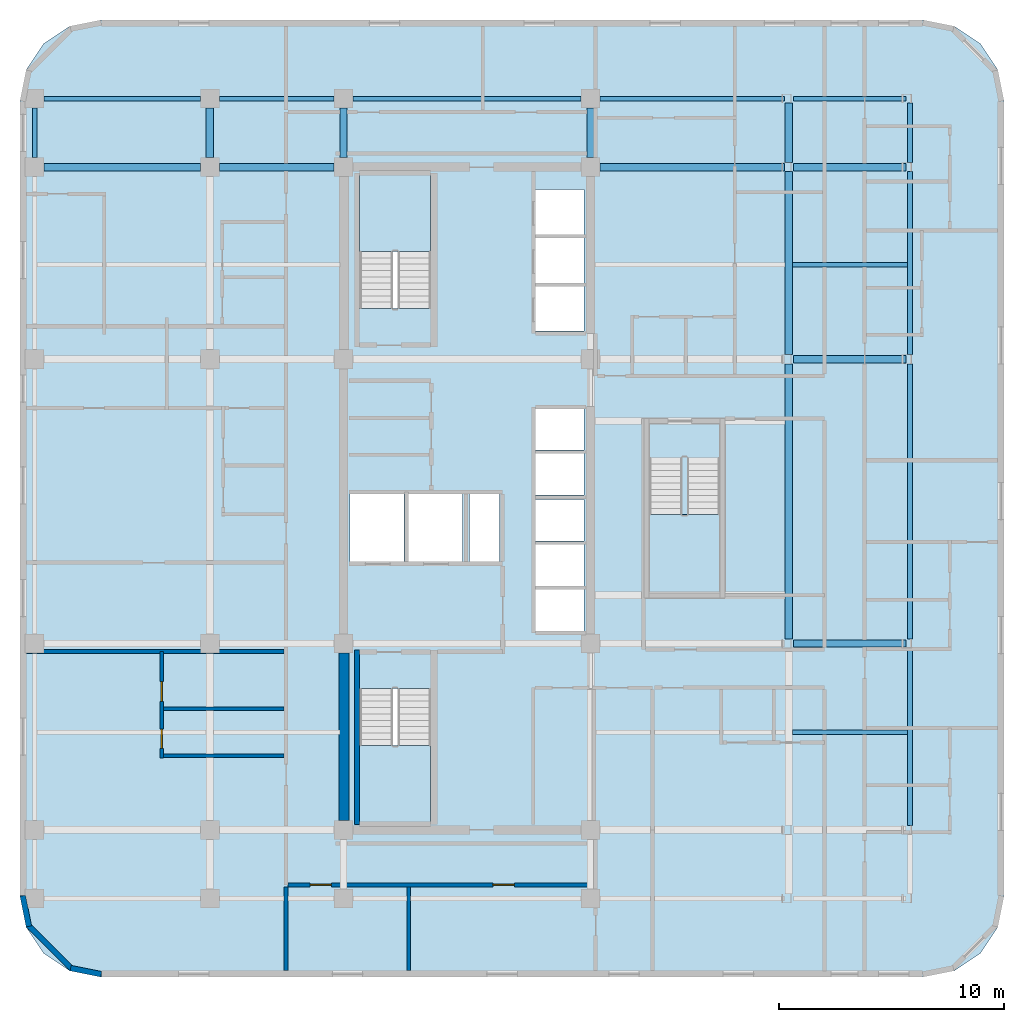
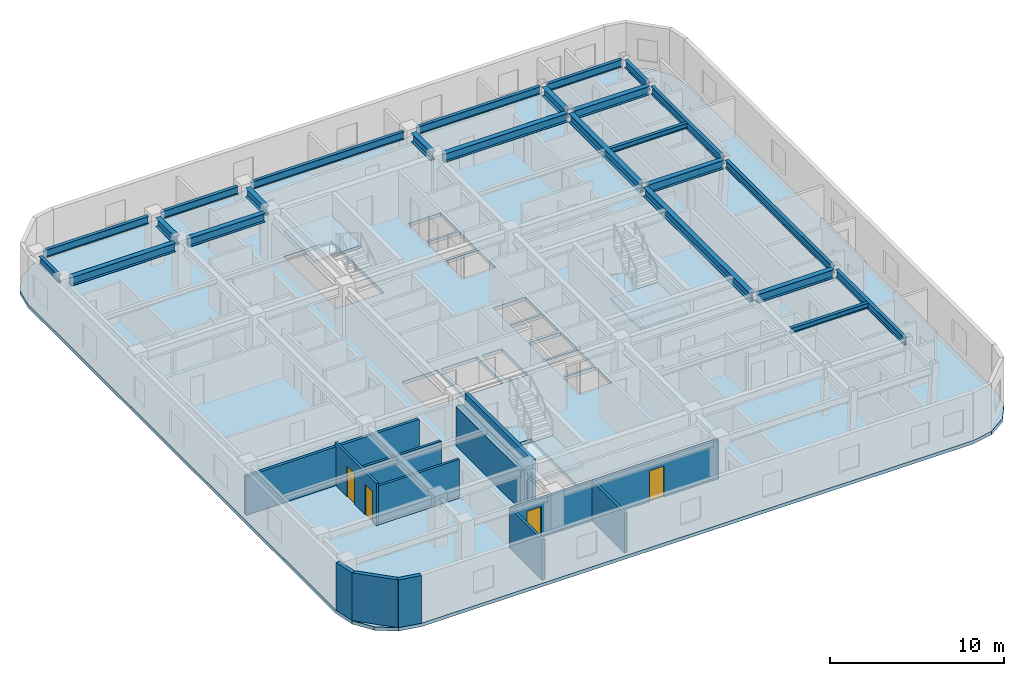
# One storey, part 2 of 9: 24 beams, 12 walls, 4 doors, 4 slabs, 4 openings, 3 elements without a shape of their own.
"""IFC4 building model written with IfcOpenShell, lengths in metres."""

from ifc_helpers import new_model, si_unit, direction, frame, frame_2d, origin, origin_2d, place, context, subcontext, project, spatial, polyline, rectangle, i_section, outline, extrude, material, layer, layer_set, material_profile, profile_set, type_object, element, fill, aggregate, save


model = new_model("IFC4")

# Units and contexts
model_context = context("Model", 3, precision=1e-05, world=origin(), true_north=direction((0.0, 1.0)))
body_context = subcontext(model_context, "Body", "Model", "MODEL_VIEW")
ifc_project = project(units=[si_unit("LENGTHUNIT", "METRE"), si_unit("AREAUNIT", "SQUARE_METRE"), si_unit("VOLUMEUNIT", "CUBIC_METRE"), si_unit("PLANEANGLEUNIT", "RADIAN"), si_unit("MASSUNIT", "GRAM", prefix="KILO")], contexts=[model_context])

# Site, building, storey
site_placement = place(None, origin())
site = spatial("IfcSite", under=ifc_project, at=site_placement, CompositionType="ELEMENT")
building_placement = place(site_placement, origin())
building = spatial("IfcBuilding", under=site, at=building_placement, Name="Ochreholt Gables", CompositionType="ELEMENT")
storey_placement = place(building_placement, frame((0.0, 0.0, 113.39990234375)))
storey = spatial("IfcBuildingStorey", under=building, at=storey_placement, Name="L29", CompositionType="ELEMENT", Elevation=113.39990234375)

# Beams
ifc_material_1 = material(Name="Steel CSA G40.21 350W", Category="steel")
ifc_material_profile_1 = material_profile(ifc_material_1, i_section(OverallWidth=0.323974609375, OverallDepth=0.611083984375, WebThickness=0.0126953125, FlangeThickness=0.01904296875, at=origin_2d()), Name="W610X155")
ifc_profile_set_1 = profile_set([ifc_material_profile_1], Name="Steel CSA G40.21 350W")
beam_type_1 = type_object("IfcBeamType", Name="BM-G-W610A", PredefinedType="BEAM", material=ifc_profile_set_1)
for number, where, z_axis, x_axis, name in (
    (1, (44.233642578125, 17.550048828125, 3.044677734375), (1.0, 0.0, 0.0), (0.0, 1.0, 0.0), "L29 Beam TBG-L29-EMEE-Y3"),
    (2, (44.233642578125, 30.199951171875, 3.044677734375), (1.0, 0.0, 0.0), (0.0, 1.0, 0.0), "L29 Beam TBG-L29-EMEE-Y4"),
):
    element("IfcBeam", number, at=place(storey_placement, frame(where, z_axis=z_axis, x_axis=x_axis)), inside=storey, type_object=beam_type_1, Name=name, PredefinedType="BEAM", context=body_context, shape_type="SweptSolid", body=[
        extrude(i_section(OverallWidth=0.323974609375, OverallDepth=0.611083984375, WebThickness=0.0126953125, FlangeThickness=0.01904296875, at=origin_2d()), origin(), (0.0, 0.0, 1.0), 5.006591796875),
    ])
beam_1_placement = place(storey_placement, frame((10.87451171875, 38.75, 3.044677734375), z_axis=(1.0, 0.0, 0.0), x_axis=(0.0, 1.0, 0.0)))
element("IfcBeam", 3, at=beam_1_placement, inside=storey, type_object=beam_type_1, Name="L29 Beam TBG-L29-W2W3-Y5", PredefinedType="BEAM", context=body_context, shape_type="SweptSolid", body=[
    extrude(i_section(OverallWidth=0.323974609375, OverallDepth=0.611083984375, WebThickness=0.0126953125, FlangeThickness=0.01904296875, at=origin_2d()), origin(), (0.0, 0.0, 1.0), 6.950927734375),
])
beam_2_placement = place(storey_placement, frame((18.674560546875, 38.75, 3.044677734375), z_axis=(1.0, 0.0, 0.0), x_axis=(0.0, 1.0, 0.0)))
element("IfcBeam", 4, at=beam_2_placement, inside=storey, type_object=beam_type_1, Name="L29 Beam TBG-L29-W3C1-Y5", PredefinedType="BEAM", context=body_context, shape_type="SweptSolid", body=[
    extrude(i_section(OverallWidth=0.323974609375, OverallDepth=0.611083984375, WebThickness=0.0126953125, FlangeThickness=0.01904296875, at=origin_2d()), origin(), (0.0, 0.0, 1.0), 5.100830078125),
])
beam_3_placement = place(storey_placement, frame((35.62451171875, 38.75, 3.044677734375), z_axis=(1.0, 0.0, 0.0), x_axis=(0.0, 1.0, 0.0)))
element("IfcBeam", 5, at=beam_3_placement, inside=storey, type_object=beam_type_1, Name="L29 Beam TBG-L29-C2EM-Y5", PredefinedType="BEAM", context=body_context, shape_type="SweptSolid", body=[
    extrude(i_section(OverallWidth=0.323974609375, OverallDepth=0.611083984375, WebThickness=0.0126953125, FlangeThickness=0.01904296875, at=origin_2d()), origin(), (0.0, 0.0, 1.0), 8.203857421875),
])
beam_4_placement = place(storey_placement, frame((44.233642578125, 38.75, 3.044677734375), z_axis=(1.0, 0.0, 0.0), x_axis=(0.0, 1.0, 0.0)))
element("IfcBeam", 6, at=beam_4_placement, inside=storey, type_object=beam_type_1, Name="L29 Beam TBG-L29-EMEE-Y5", PredefinedType="BEAM", context=body_context, shape_type="SweptSolid", body=[
    extrude(i_section(OverallWidth=0.323974609375, OverallDepth=0.611083984375, WebThickness=0.0126953125, FlangeThickness=0.01904296875, at=origin_2d()), origin(), (0.0, 0.0, 1.0), 5.006591796875),
])
for number, where, z_axis, x_axis, name in (
    (7, (18.25, 39.174560546875, 3.044677734375), (0.0, 1.0, 0.0), (-1.0, 0.0, 0.0), "L29 Beam TBN-L29-W3-Y5Y6"),
    (8, (24.199951171875, 39.174560546875, 3.044677734375), (0.0, 1.0, 0.0), (-1.0, 0.0, 0.0), "L29 Beam TBN-L29-C1-Y5Y6"),
    (9, (35.199951171875, 39.174560546875, 3.044677734375), (0.0, 1.0, 0.0), (-1.0, 0.0, 0.0), "L29 Beam TBN-L29-C2-Y5Y6"),
):
    element("IfcBeam", number, at=place(storey_placement, frame(where, z_axis=z_axis, x_axis=x_axis)), inside=storey, type_object=beam_type_1, Name=name, PredefinedType="BEAM", context=body_context, shape_type="SweptSolid", body=[
        extrude(i_section(OverallWidth=0.323974609375, OverallDepth=0.611083984375, WebThickness=0.0126953125, FlangeThickness=0.01904296875, at=origin_2d()), origin(), (0.0, 0.0, 1.0), 2.200927734375),
    ])
beam_5_placement = place(storey_placement, frame((44.013427734375, 17.752685546875, 3.044677734375), z_axis=(0.0, 1.0, 0.0), x_axis=(-1.0, 0.0, 0.0)))
element("IfcBeam", 10, at=beam_5_placement, inside=storey, type_object=beam_type_1, Name="L29 Beam TBN-L29-EM-Y3Y4", PredefinedType="BEAM", context=body_context, shape_type="SweptSolid", body=[
    extrude(i_section(OverallWidth=0.323974609375, OverallDepth=0.611083984375, WebThickness=0.0126953125, FlangeThickness=0.01904296875, at=origin_2d()), origin(), (0.0, 0.0, 1.0), 12.24462890625),
])
beam_6_placement = place(storey_placement, frame((44.013427734375, 30.402587890625, 3.044677734375), z_axis=(0.0, 1.0, 0.0), x_axis=(-1.0, 0.0, 0.0)))
element("IfcBeam", 11, at=beam_6_placement, inside=storey, type_object=beam_type_1, Name="L29 Beam TBN-L29-EM-Y4Y5", PredefinedType="BEAM", context=body_context, shape_type="SweptSolid", body=[
    extrude(i_section(OverallWidth=0.323974609375, OverallDepth=0.611083984375, WebThickness=0.0126953125, FlangeThickness=0.01904296875, at=origin_2d()), origin(), (0.0, 0.0, 1.0), 8.144775390625),
])
beam_7_placement = place(storey_placement, frame((44.013427734375, 38.95263671875, 3.044677734375), z_axis=(0.0, 1.0, 0.0), x_axis=(-1.0, 0.0, 0.0)))
element("IfcBeam", 12, at=beam_7_placement, inside=storey, type_object=beam_type_1, Name="L29 Beam TBN-L29-EM-Y5Y6", PredefinedType="BEAM", context=body_context, shape_type="SweptSolid", body=[
    extrude(i_section(OverallWidth=0.323974609375, OverallDepth=0.611083984375, WebThickness=0.0126953125, FlangeThickness=0.01904296875, at=origin_2d()), origin(), (0.0, 0.0, 1.0), 2.644775390625),
])
ifc_material_profile_2 = material_profile(ifc_material_1, i_section(OverallWidth=0.205078125, OverallDepth=0.35400390625, WebThickness=0.009521484375, FlangeThickness=0.016845703125, at=origin_2d()), Name="W360X79")
ifc_profile_set_2 = profile_set([ifc_material_profile_2], Name="Steel CSA G40.21 350W")
beam_type_2 = type_object("IfcBeamType", Name="BM-J-W360A", PredefinedType="JOIST", material=ifc_profile_set_2)
for number, where, z_axis, x_axis, name in (
    (13, (44.175048828125, 13.60009765625, 3.173095703125), (1.0, 0.0, 0.0), (0.0, 1.0, 0.0), "L29 Beam TBJ-L29-J1-EMEE"),
    (14, (44.175048828125, 34.39990234375, 3.173095703125), (1.0, 0.0, 0.0), (0.0, 1.0, 0.0), "L29 Beam TBJ-L29-J2-EMEE"),
):
    element("IfcBeam", number, at=place(storey_placement, frame(where, z_axis=z_axis, x_axis=x_axis)), inside=storey, type_object=beam_type_2, Name=name, PredefinedType="JOIST", context=body_context, shape_type="SweptSolid", body=[
        extrude(i_section(OverallWidth=0.205078125, OverallDepth=0.35400390625, WebThickness=0.009521484375, FlangeThickness=0.016845703125, at=origin_2d()), origin(), (0.0, 0.0, 1.0), 5.134765625),
    ])
ifc_material_profile_3 = material_profile(ifc_material_1, i_section(OverallWidth=0.208984375, OverallDepth=0.532958984375, WebThickness=0.01025390625, FlangeThickness=0.015625, at=origin_2d()), Name="W530X92")
ifc_profile_set_3 = profile_set([ifc_material_profile_3], Name="Steel CSA G40.21 350W")
beam_type_3 = type_object("IfcBeamType", Name="BM-SP-W530B", PredefinedType="SPANDREL", material=ifc_profile_set_3)
beam_8_placement = place(storey_placement, frame((10.87451171875, 41.800048828125, 3.08349609375), z_axis=(1.0, 0.0, 0.0), x_axis=(0.0, 1.0, 0.0)))
element("IfcBeam", 15, at=beam_8_placement, inside=storey, type_object=beam_type_3, Name="L29 Beam TBG-L29-W2W3-Y6", PredefinedType="SPANDREL", context=body_context, shape_type="SweptSolid", body=[
    extrude(i_section(OverallWidth=0.208984375, OverallDepth=0.532958984375, WebThickness=0.01025390625, FlangeThickness=0.015625, at=origin_2d()), origin(), (0.0, 0.0, 1.0), 6.950927734375),
])
beam_9_placement = place(storey_placement, frame((18.674560546875, 41.800048828125, 3.08349609375), z_axis=(1.0, 0.0, 0.0), x_axis=(0.0, 1.0, 0.0)))
element("IfcBeam", 16, at=beam_9_placement, inside=storey, type_object=beam_type_3, Name="L29 Beam TBG-L29-W3C1-Y6", PredefinedType="SPANDREL", context=body_context, shape_type="SweptSolid", body=[
    extrude(i_section(OverallWidth=0.208984375, OverallDepth=0.532958984375, WebThickness=0.01025390625, FlangeThickness=0.015625, at=origin_2d()), origin(), (0.0, 0.0, 1.0), 5.100830078125),
])
beam_10_placement = place(storey_placement, frame((24.62451171875, 41.800048828125, 3.08349609375), z_axis=(1.0, 0.0, 0.0), x_axis=(0.0, 1.0, 0.0)))
element("IfcBeam", 17, at=beam_10_placement, inside=storey, type_object=beam_type_3, Name="L29 Beam TBG-L29-C1C2-Y6", PredefinedType="SPANDREL", context=body_context, shape_type="SweptSolid", body=[
    extrude(i_section(OverallWidth=0.208984375, OverallDepth=0.532958984375, WebThickness=0.01025390625, FlangeThickness=0.015625, at=origin_2d()), origin(), (0.0, 0.0, 1.0), 10.15087890625),
])
beam_11_placement = place(storey_placement, frame((35.62451171875, 41.800048828125, 3.08349609375), z_axis=(1.0, 0.0, 0.0), x_axis=(0.0, 1.0, 0.0)))
element("IfcBeam", 18, at=beam_11_placement, inside=storey, type_object=beam_type_3, Name="L29 Beam TBG-L29-C2EM-Y6", PredefinedType="SPANDREL", context=body_context, shape_type="SweptSolid", body=[
    extrude(i_section(OverallWidth=0.208984375, OverallDepth=0.532958984375, WebThickness=0.01025390625, FlangeThickness=0.015625, at=origin_2d()), origin(), (0.0, 0.0, 1.0), 8.203857421875),
])
beam_12_placement = place(storey_placement, frame((44.233642578125, 41.800048828125, 3.08349609375), z_axis=(1.0, 0.0, 0.0), x_axis=(0.0, 1.0, 0.0)))
element("IfcBeam", 19, at=beam_12_placement, inside=storey, type_object=beam_type_3, Name="L29 Beam TBG-L29-EMEE-Y6", PredefinedType="SPANDREL", context=body_context, shape_type="SweptSolid", body=[
    extrude(i_section(OverallWidth=0.208984375, OverallDepth=0.532958984375, WebThickness=0.01025390625, FlangeThickness=0.015625, at=origin_2d()), origin(), (0.0, 0.0, 1.0), 5.006591796875),
])
beam_13_placement = place(storey_placement, frame((10.449951171875, 39.174560546875, 3.08349609375), z_axis=(0.0, 1.0, 0.0), x_axis=(-1.0, 0.0, 0.0)))
element("IfcBeam", 20, at=beam_13_placement, inside=storey, type_object=beam_type_3, Name="L29 Beam TBN-L29-W2-Y5Y6", PredefinedType="SPANDREL", context=body_context, shape_type="SweptSolid", body=[
    extrude(i_section(OverallWidth=0.208984375, OverallDepth=0.532958984375, WebThickness=0.01025390625, FlangeThickness=0.015625, at=origin_2d()), origin(), (0.0, 0.0, 1.0), 2.200927734375),
])
beam_14_placement = place(storey_placement, frame((49.413818359375, 9.45263671875, 3.08349609375), z_axis=(0.0, 1.0, 0.0), x_axis=(-1.0, 0.0, 0.0)))
element("IfcBeam", 21, at=beam_14_placement, inside=storey, type_object=beam_type_3, Name="L29 Beam TBN-L29-EE-Y2Y3", PredefinedType="SPANDREL", context=body_context, shape_type="SweptSolid", body=[
    extrude(i_section(OverallWidth=0.208984375, OverallDepth=0.532958984375, WebThickness=0.01025390625, FlangeThickness=0.015625, at=origin_2d()), origin(), (0.0, 0.0, 1.0), 7.894775390625),
])
beam_15_placement = place(storey_placement, frame((49.413818359375, 17.752685546875, 3.08349609375), z_axis=(0.0, 1.0, 0.0), x_axis=(-1.0, 0.0, 0.0)))
element("IfcBeam", 22, at=beam_15_placement, inside=storey, type_object=beam_type_3, Name="L29 Beam TBN-L29-EE-Y3Y4", PredefinedType="SPANDREL", context=body_context, shape_type="SweptSolid", body=[
    extrude(i_section(OverallWidth=0.208984375, OverallDepth=0.532958984375, WebThickness=0.01025390625, FlangeThickness=0.015625, at=origin_2d()), origin(), (0.0, 0.0, 1.0), 12.24462890625),
])
beam_16_placement = place(storey_placement, frame((49.413818359375, 30.402587890625, 3.08349609375), z_axis=(0.0, 1.0, 0.0), x_axis=(-1.0, 0.0, 0.0)))
element("IfcBeam", 23, at=beam_16_placement, inside=storey, type_object=beam_type_3, Name="L29 Beam TBN-L29-EE-Y4Y5", PredefinedType="SPANDREL", context=body_context, shape_type="SweptSolid", body=[
    extrude(i_section(OverallWidth=0.208984375, OverallDepth=0.532958984375, WebThickness=0.01025390625, FlangeThickness=0.015625, at=origin_2d()), origin(), (0.0, 0.0, 1.0), 8.144775390625),
])
beam_17_placement = place(storey_placement, frame((49.413818359375, 38.95263671875, 3.08349609375), z_axis=(0.0, 1.0, 0.0), x_axis=(-1.0, 0.0, 0.0)))
element("IfcBeam", 24, at=beam_17_placement, inside=storey, type_object=beam_type_3, Name="L29 Beam TBN-L29-EE-Y5Y6", PredefinedType="SPANDREL", context=body_context, shape_type="SweptSolid", body=[
    extrude(i_section(OverallWidth=0.208984375, OverallDepth=0.532958984375, WebThickness=0.01025390625, FlangeThickness=0.015625, at=origin_2d()), origin(), (0.0, 0.0, 1.0), 2.644775390625),
])

# Stair, slab
ifc_material_2 = material(Name="Concrete 40 MPa", Category="concrete")
stair_type_1 = type_object("IfcStairType", Name="STAIR-CORE-ST-1", PredefinedType="HALF_TURN_STAIR", material=ifc_material_2)
stair_1_placement = place(storey_placement, origin())
stair_1 = element("IfcStair", 25, at=stair_1_placement, inside=storey, type_object=stair_type_1, Name="L29 Core Exit Stair 1", PredefinedType="HALF_TURN_STAIR")
ifc_layer_1 = layer(ifc_material_2, 0.199951171875, Name="Concrete 40 MPa")
ifc_layer_set_1 = layer_set([ifc_layer_1], Name="Concrete 40 MPa")
slab_type_1 = type_object("IfcSlabType", Name="LANDING-RC200", PredefinedType="LANDING", material=ifc_layer_set_1)
slab_1_placement = place(storey_placement, frame((0.0, 0.0, 1.60009765625)))
slab_1 = element("IfcSlab", 26, at=slab_1_placement, type_object=slab_type_1, Name="ST-1 landing 1", PredefinedType="LANDING", context=body_context, shape_type="SweptSolid", body=[
    extrude(outline(polyline([(24.919921875, 13.001953125), (24.919921875, 9.52001953125), (28.080078125, 9.52001953125), (28.080078125, 13.001953125), (24.919921875, 13.001953125)])), origin(), (0.0, 0.0, 1.0), 0.199951171875),
])
aggregate(stair_1, [slab_1])

stair_type_2 = type_object("IfcStairType", Name="STAIR-CORE-ST-2", PredefinedType="HALF_TURN_STAIR", material=ifc_material_2)
stair_2_placement = place(storey_placement, origin())
stair_2 = element("IfcStair", 27, at=stair_2_placement, inside=storey, type_object=stair_type_2, Name="L29 Core Exit Stair 2", PredefinedType="HALF_TURN_STAIR")
slab_2_placement = place(storey_placement, frame((0.0, 0.0, 1.60009765625)))
slab_2 = element("IfcSlab", 28, at=slab_2_placement, type_object=slab_type_1, Name="ST-2 landing 1", PredefinedType="LANDING", context=body_context, shape_type="SweptSolid", body=[
    extrude(outline(polyline([(28.080078125, 34.998046875), (28.080078125, 38.47998046875), (24.919921875, 38.47998046875), (24.919921875, 34.998046875), (28.080078125, 34.998046875)])), origin(), (0.0, 0.0, 1.0), 0.199951171875),
])
aggregate(stair_2, [slab_2])

stair_type_3 = type_object("IfcStairType", Name="STAIR-CORE-ST-C3", PredefinedType="HALF_TURN_STAIR", material=ifc_material_2)
stair_3_placement = place(storey_placement, origin())
stair_3 = element("IfcStair", 29, at=stair_3_placement, inside=storey, type_object=stair_type_3, Name="L29 Community Feature Stair ST-C3", PredefinedType="HALF_TURN_STAIR")
slab_3_placement = place(storey_placement, frame((0.0, 0.0, 1.60009765625)))
slab_3 = element("IfcSlab", 30, at=slab_3_placement, type_object=slab_type_1, Name="ST-C3 landing 1", PredefinedType="LANDING", context=body_context, shape_type="SweptSolid", body=[
    extrude(outline(polyline([(37.800048828125, 23.281982421875), (37.800048828125, 19.800048828125), (40.9599609375, 19.800048828125), (40.9599609375, 23.281982421875), (37.800048828125, 23.281982421875)])), origin(), (0.0, 0.0, 1.0), 0.199951171875),
])
aggregate(stair_3, [slab_3])

# Slab
ifc_layer_2 = layer(ifc_material_2, 0.239990234375, Name="Concrete 40 MPa")
ifc_layer_set_2 = layer_set([ifc_layer_2], Name="Concrete 40 MPa")
slab_type_2 = type_object("IfcSlabType", Name="SLAB-TWR-240", PredefinedType="FLOOR", material=ifc_layer_set_2)
slab_4_placement = place(storey_placement, frame((0.0, 0.0, -0.239990234375)))
element("IfcSlab", 31, at=slab_4_placement, inside=storey, type_object=slab_type_2, Name="L29 Structural Floor Slab", PredefinedType="FLOOR", context=body_context, shape_type="SweptSolid", body=[
    extrude(outline(polyline([(9.800048828125, 6.300048828125), (10.073974609375, 4.92236328125), (10.8544921875, 3.75439453125), (12.022216796875, 2.97412109375), (13.39990234375, 2.699951171875), (50.0, 2.699951171875), (51.377685546875, 2.97412109375), (52.545654296875, 3.75439453125), (53.325927734375, 4.92236328125), (53.60009765625, 6.300048828125), (53.60009765625, 41.699951171875), (53.325927734375, 43.07763671875), (52.545654296875, 44.24560546875), (51.377685546875, 45.02587890625), (50.0, 45.300048828125), (13.39990234375, 45.300048828125), (12.022216796875, 45.02587890625), (10.8544921875, 44.24560546875), (10.073974609375, 43.07763671875), (9.800048828125, 41.699951171875), (9.800048828125, 6.300048828125)]), holes=[polyline([(24.919921875, 15.539306640625), (24.919921875, 9.52001953125), (28.080078125, 9.52001953125), (28.080078125, 15.539306640625), (24.919921875, 15.539306640625)]), polyline([(28.080078125, 32.460693359375), (28.080078125, 38.47998046875), (24.919921875, 38.47998046875), (24.919921875, 32.460693359375), (28.080078125, 32.460693359375)]), polyline([(24.5, 21.199951171875), (26.89990234375, 21.199951171875), (26.89990234375, 24.199951171875), (24.5, 24.199951171875), (24.5, 21.199951171875)]), polyline([(27.10009765625, 21.199951171875), (29.5, 21.199951171875), (29.5, 24.199951171875), (27.10009765625, 24.199951171875), (27.10009765625, 21.199951171875)]), polyline([(32.75, 18.10009765625), (34.89990234375, 18.10009765625), (34.89990234375, 19.949951171875), (32.75, 19.949951171875), (32.75, 18.10009765625)]), polyline([(32.75, 20.10009765625), (34.89990234375, 20.10009765625), (34.89990234375, 21.949951171875), (32.75, 21.949951171875), (32.75, 20.10009765625)]), polyline([(32.75, 22.10009765625), (34.89990234375, 22.10009765625), (34.89990234375, 23.949951171875), (32.75, 23.949951171875), (32.75, 22.10009765625)]), polyline([(32.75, 24.14990234375), (34.89990234375, 24.14990234375), (34.89990234375, 26.0), (32.75, 26.0), (32.75, 24.14990234375)]), polyline([(32.75, 26.14990234375), (34.89990234375, 26.14990234375), (34.89990234375, 28.0), (32.75, 28.0), (32.75, 26.14990234375)]), polyline([(32.75, 31.449951171875), (34.89990234375, 31.449951171875), (34.89990234375, 33.449951171875), (32.75, 33.449951171875), (32.75, 31.449951171875)]), polyline([(32.75, 33.60009765625), (34.89990234375, 33.60009765625), (34.89990234375, 35.60009765625), (32.75, 35.60009765625), (32.75, 33.60009765625)]), polyline([(32.75, 35.75), (34.89990234375, 35.75), (34.89990234375, 37.75), (32.75, 37.75), (32.75, 35.75)]), polyline([(29.800048828125, 21.199951171875), (31.14990234375, 21.199951171875), (31.14990234375, 24.199951171875), (29.800048828125, 24.199951171875), (29.800048828125, 21.199951171875)])]), origin(), (0.0, 0.0, 1.0), 0.239990234375),
])

# Walls
ifc_material_3 = material(Name="Concrete 60 MPa", Category="concrete")
ifc_layer_3 = layer(ifc_material_3, 0.449951171875, Name="Concrete 60 MPa")
ifc_layer_set_3 = layer_set([ifc_layer_3], Name="Concrete 60 MPa")
wall_type_1 = type_object("IfcWallType", Name="WALL-CSW-450", PredefinedType="SHEAR", material=ifc_layer_set_3)
wall_1_placement = place(storey_placement, frame((24.22509765625, 9.675048828125, 0.0), z_axis=(0.0, 0.0, 1.0), x_axis=(0.0, 1.0, 0.0)))
element("IfcWall", 32, at=wall_1_placement, inside=storey, type_object=wall_type_1, Name="L29 Core West Shear Wall WS", PredefinedType="SHEAR", context=body_context, shape_type="SweptSolid", body=[
    extrude(rectangle(XDim=7.449951171875, YDim=0.449951171875, at=frame_2d((3.72509765625, 0.0))), origin(), (0.0, 0.0, 1.0), 2.739013671875),
])
ifc_material_4 = material(Name="Precast concrete 40 MPa", Category="concrete")
ifc_layer_4 = layer(ifc_material_4, 0.25, Name="Precast concrete 40 MPa")
ifc_layer_set_4 = layer_set([ifc_layer_4], Name="Precast concrete 40 MPa")
wall_type_2 = type_object("IfcWallType", Name="WALL-EXT-CNR", PredefinedType="SOLIDWALL", material=ifc_layer_set_4)
wall_2_placement = place(storey_placement, frame((9.92431640625, 6.31640625, 0.0), z_axis=(0.0, 0.0, 1.0), x_axis=(0.195000137217, -0.980803214965, 0.0)))
element("IfcWall", 33, at=wall_2_placement, inside=storey, type_object=wall_type_2, Name="L29 Rounded Corner Wall SW-1", PredefinedType="SOLIDWALL", context=body_context, shape_type="SweptSolid", body=[
    extrude(rectangle(XDim=1.388427734375, YDim=0.25, at=frame_2d((0.6943359375, 0.0))), origin(), (0.0, 0.0, 1.0), 3.35009765625),
])
wall_3_placement = place(storey_placement, frame((10.16796875, 5.0048828125, 0.0), z_axis=(0.0, 0.0, 1.0), x_axis=(0.707151344399, -0.707062215165, 0.0)))
element("IfcWall", 34, at=wall_3_placement, inside=storey, type_object=wall_type_2, Name="L29 Rounded Corner Wall SW-2", PredefinedType="SOLIDWALL", context=body_context, shape_type="SweptSolid", body=[
    extrude(rectangle(XDim=2.7392578125, YDim=0.25, at=frame_2d((1.36962890625, 0.0))), origin(), (0.0, 0.0, 1.0), 3.35009765625),
])
wall_4_placement = place(storey_placement, frame((12.054443359375, 3.094970703125, 0.0), z_axis=(0.0, 0.0, 1.0), x_axis=(0.980809899341, -0.19496651342, 0.0)))
element("IfcWall", 35, at=wall_4_placement, inside=storey, type_object=wall_type_2, Name="L29 Rounded Corner Wall SW-3", PredefinedType="SOLIDWALL", context=body_context, shape_type="SweptSolid", body=[
    extrude(rectangle(XDim=1.388671875, YDim=0.25, at=frame_2d((0.6943359375, 0.0))), origin(), (0.0, 0.0, 1.0), 3.35009765625),
])

# Wall, openings, doors
ifc_material_5 = material(Name="Fire-Rated Gypsum Acoustic Partition", Category="gypsum")
ifc_layer_5 = layer(ifc_material_5, 0.179931640625, Name="Fire-Rated Gypsum Acoustic Partition")
ifc_layer_set_5 = layer_set([ifc_layer_5], Name="Fire-Rated Gypsum Acoustic Partition")
wall_type_3 = type_object("IfcWallType", Name="WALL-INT-CR180", PredefinedType="STANDARD", material=ifc_layer_set_5)
wall_5_placement = place(storey_placement, frame((21.739990234375, 6.800048828125, 0.0), z_axis=(0.0, 0.0, 1.0), x_axis=(1.0, 0.0, 0.0)))
wall_5 = element("IfcWall", 36, at=wall_5_placement, inside=storey, type_object=wall_type_3, Name="L29 Interior Wall WI-C2WCS-L29", PredefinedType="STANDARD", context=body_context, shape_type="SweptSolid", body=[
    extrude(rectangle(XDim=13.679931640625, YDim=0.179931640625, at=frame_2d((6.83984375, 0.0))), origin(), (0.0, 0.0, 1.0), 2.72119140625),
])
opening_1_placement = place(wall_5_placement, frame((0.969970703125, 0.0, 0.0)))
opening_1 = element("IfcOpeningElement", 37, at=opening_1_placement, cuts=wall_5, Name="Opening D-GN1", PredefinedType="OPENING", context=body_context, shape_type="SweptSolid", body=[
    extrude(rectangle(XDim=0.949951171875, YDim=2.14990234375, at=frame_2d((0.47509765625, 1.074951171875))), frame((0.0, 0.099853515625, 0.0), z_axis=(0.0, -1.0, 0.0), x_axis=(1.0, 0.0, 0.0)), (0.0, 0.0, 1.0), 0.199951171875),
])
opening_2_placement = place(wall_5_placement, frame((9.110107421875, 0.0, 0.0)))
opening_2 = element("IfcOpeningElement", 38, at=opening_2_placement, cuts=wall_5, Name="Opening D-GN1", PredefinedType="OPENING", context=body_context, shape_type="SweptSolid", body=[
    extrude(rectangle(XDim=0.949951171875, YDim=2.14990234375, at=frame_2d((0.47509765625, 1.074951171875))), frame((0.0, 0.099853515625, 0.0), z_axis=(0.0, -1.0, 0.0), x_axis=(1.0, 0.0, 0.0)), (0.0, 0.0, 1.0), 0.199951171875),
])
ifc_material_6 = material(Name="Engineered Oak Timber", Category="wood")
door_type_1 = type_object("IfcDoorType", Name="DR-INT-GEN950", OperationType="NOTDEFINED", PredefinedType="DOOR", material=ifc_material_6)
door_1_placement = place(opening_1_placement, origin())
door_1 = element("IfcDoor", 39, at=door_1_placement, inside=storey, type_object=door_type_1, Name="L29 Door D-C2STL1-L29", OperationType="SINGLE_SWING_LEFT", OverallHeight=2.14990234375, OverallWidth=0.949951171875, PredefinedType="DOOR", context=body_context, shape_type="SweptSolid", body=[
    extrude(rectangle(XDim=0.949951171875, YDim=2.14990234375, at=frame_2d((0.47509765625, 1.074951171875))), frame((0.0, 0.02490234375, 0.0), z_axis=(0.0, -1.0, 0.0), x_axis=(1.0, 0.0, 0.0)), (0.0, 0.0, 1.0), 0.050048828125),
])
fill(opening_1, door_1)
door_2_placement = place(opening_2_placement, origin())
door_2 = element("IfcDoor", 40, at=door_2_placement, inside=storey, type_object=door_type_1, Name="L29 Door D-C2STL2-L29", OperationType="SINGLE_SWING_RIGHT", OverallHeight=2.14990234375, OverallWidth=0.949951171875, PredefinedType="DOOR", context=body_context, shape_type="SweptSolid", body=[
    extrude(rectangle(XDim=0.949951171875, YDim=2.14990234375, at=frame_2d((0.47509765625, 1.074951171875))), frame((0.0, 0.02490234375, 0.0), z_axis=(0.0, -1.0, 0.0), x_axis=(1.0, 0.0, 0.0)), (0.0, 0.0, 1.0), 0.050048828125),
])
fill(opening_2, door_2)

# Walls
ifc_material_7 = material(Name="Double-Stud Acoustic Demising Wall", Category="gypsum")
ifc_layer_6 = layer(ifc_material_7, 0.179931640625, Name="Double-Stud Acoustic Demising Wall")
ifc_layer_set_6 = layer_set([ifc_layer_6], Name="Double-Stud Acoustic Demising Wall")
wall_type_4 = type_object("IfcWallType", Name="WALL-INT-DM180", PredefinedType="PARTITIONING", material=ifc_layer_set_6)
wall_6_placement = place(storey_placement, frame((21.64990234375, 2.97998046875, 0.0), z_axis=(0.0, 0.0, 1.0), x_axis=(0.0, 1.0, 0.0)))
element("IfcWall", 41, at=wall_6_placement, inside=storey, type_object=wall_type_4, Name="L29 Interior Wall WI-C2WWS-L29", PredefinedType="PARTITIONING", context=body_context, shape_type="SweptSolid", body=[
    extrude(rectangle(XDim=3.72998046875, YDim=0.179931640625, at=frame_2d((1.864990234375, 0.0))), origin(), (0.0, 0.0, 1.0), 2.799072265625),
])
wall_7_placement = place(storey_placement, frame((10.080078125, 17.18408203125, 0.0), z_axis=(0.0, 0.0, 1.0), x_axis=(1.0, 0.0, 0.0)))
element("IfcWall", 42, at=wall_7_placement, inside=storey, type_object=wall_type_4, Name="L29 Interior Wall WI-C2UDW2-L29", PredefinedType="PARTITIONING", context=body_context, shape_type="SweptSolid", body=[
    extrude(rectangle(XDim=11.47998046875, YDim=0.179931640625, at=frame_2d((5.739990234375, 0.0))), origin(), (0.0, 0.0, 1.0), 2.72119140625),
])
ifc_material_8 = material(Name="Moisture-Resistant Plumbing Chase Wall", Category="gypsum")
ifc_layer_7 = layer(ifc_material_8, 0.159912109375, Name="Moisture-Resistant Plumbing Chase Wall")
ifc_layer_set_7 = layer_set([ifc_layer_7], Name="Moisture-Resistant Plumbing Chase Wall")
wall_type_5 = type_object("IfcWallType", Name="WALL-INT-PL160", PredefinedType="PLUMBINGWALL", material=ifc_layer_set_7)
wall_8_placement = place(storey_placement, frame((16.030029296875, 12.5439453125, 0.0), z_axis=(0.0, 0.0, 1.0), x_axis=(1.0, 0.0, 0.0)))
element("IfcWall", 43, at=wall_8_placement, inside=storey, type_object=wall_type_5, Name="L29 Interior Wall WU-L29W1-WYS", PredefinedType="PLUMBINGWALL", context=body_context, shape_type="SweptSolid", body=[
    extrude(rectangle(XDim=5.530029296875, YDim=0.159912109375, at=frame_2d((2.76513671875, 0.0))), origin(), (0.0, 0.0, 1.0), 2.72119140625),
])

# Wall, openings, doors
wall_9_placement = place(storey_placement, frame((16.110107421875, 12.4541015625, 0.0), z_axis=(0.0, 0.0, 1.0), x_axis=(0.0, 1.0, 0.0)))
wall_9 = element("IfcWall", 44, at=wall_9_placement, inside=storey, type_object=wall_type_5, Name="L29 Interior Wall WU-L29W1-WX", PredefinedType="PLUMBINGWALL", context=body_context, shape_type="SweptSolid", body=[
    extrude(rectangle(XDim=4.72998046875, YDim=0.159912109375, at=frame_2d((2.364990234375, 0.0))), origin(), (0.0, 0.0, 1.0), 2.97802734375),
])
opening_3_placement = place(wall_9_placement, frame((0.419921875, 0.0, 0.0)))
opening_3 = element("IfcOpeningElement", 45, at=opening_3_placement, cuts=wall_9, Name="Opening D-BT1", PredefinedType="OPENING", context=body_context, shape_type="SweptSolid", body=[
    extrude(rectangle(XDim=0.860107421875, YDim=2.1201171875, at=frame_2d((0.43017578125, 1.06005859375))), frame((0.0, 0.08984375, 0.0), z_axis=(0.0, -1.0, 0.0), x_axis=(1.0, 0.0, 0.0)), (0.0, 0.0, 1.0), 0.179931640625),
])
opening_4_placement = place(wall_9_placement, frame((2.512939453125, 0.0, 0.0)))
opening_4 = element("IfcOpeningElement", 46, at=opening_4_placement, cuts=wall_9, Name="Opening D-GN2", PredefinedType="OPENING", context=body_context, shape_type="SweptSolid", body=[
    extrude(rectangle(XDim=0.8798828125, YDim=2.1201171875, at=frame_2d((0.43994140625, 1.06005859375))), frame((0.0, 0.08984375, 0.0), z_axis=(0.0, -1.0, 0.0), x_axis=(1.0, 0.0, 0.0)), (0.0, 0.0, 1.0), 0.179931640625),
])
door_type_2 = type_object("IfcDoorType", Name="DR-INT-BTH860", OperationType="NOTDEFINED", PredefinedType="DOOR", material=ifc_material_6)
door_3_placement = place(opening_3_placement, origin())
door_3 = element("IfcDoor", 47, at=door_3_placement, inside=storey, type_object=door_type_2, Name="L29 Door D-U-L29W1-BTH", OperationType="SINGLE_SWING_LEFT", OverallHeight=2.1201171875, OverallWidth=0.860107421875, PredefinedType="DOOR", context=body_context, shape_type="SweptSolid", body=[
    extrude(rectangle(XDim=0.860107421875, YDim=2.1201171875, at=frame_2d((0.43017578125, 1.06005859375))), frame((0.0, 0.02490234375, 0.0), z_axis=(0.0, -1.0, 0.0), x_axis=(1.0, 0.0, 0.0)), (0.0, 0.0, 1.0), 0.050048828125),
])
fill(opening_3, door_3)
door_type_3 = type_object("IfcDoorType", Name="DR-INT-GEN880", OperationType="NOTDEFINED", PredefinedType="DOOR", material=ifc_material_6)
door_4_placement = place(opening_4_placement, origin())
door_4 = element("IfcDoor", 48, at=door_4_placement, inside=storey, type_object=door_type_3, Name="L29 Door D-U-L29W1-KIT", OperationType="SINGLE_SWING_RIGHT", OverallHeight=2.1201171875, OverallWidth=0.8798828125, PredefinedType="DOOR", context=body_context, shape_type="SweptSolid", body=[
    extrude(rectangle(XDim=0.8798828125, YDim=2.1201171875, at=frame_2d((0.43994140625, 1.06005859375))), frame((0.0, 0.02490234375, 0.0), z_axis=(0.0, -1.0, 0.0), x_axis=(1.0, 0.0, 0.0)), (0.0, 0.0, 1.0), 0.050048828125),
])
fill(opening_4, door_4)

# Walls
wall_10_placement = place(storey_placement, frame((16.18994140625, 14.636962890625, 0.0), z_axis=(0.0, 0.0, 1.0), x_axis=(1.0, 0.0, 0.0)))
element("IfcWall", 49, at=wall_10_placement, inside=storey, type_object=wall_type_5, Name="L29 Interior Wall WU-L29W1-WM", PredefinedType="PLUMBINGWALL", context=body_context, shape_type="SweptSolid", body=[
    extrude(rectangle(XDim=5.3701171875, YDim=0.159912109375, at=frame_2d((2.68505859375, 0.0))), origin(), (0.0, 0.0, 1.0), 2.72119140625),
])
ifc_material_9 = material(Name="Gypsum Acoustic Stud Partition", Category="gypsum")
ifc_layer_8 = layer(ifc_material_9, 0.1650390625, Name="Gypsum Acoustic Stud Partition")
ifc_layer_set_8 = layer_set([ifc_layer_8], Name="Gypsum Acoustic Stud Partition")
wall_type_6 = type_object("IfcWallType", Name="WALL-INT-PT165", PredefinedType="PARTITIONING", material=ifc_layer_set_8)
wall_11_placement = place(storey_placement, frame((27.10009765625, 2.97998046875, 0.0), z_axis=(0.0, 0.0, 1.0), x_axis=(0.0, 1.0, 0.0)))
element("IfcWall", 50, at=wall_11_placement, inside=storey, type_object=wall_type_6, Name="L29 Interior Wall WI-C2PKS-L29", PredefinedType="PARTITIONING", context=body_context, shape_type="SweptSolid", body=[
    extrude(rectangle(XDim=3.72998046875, YDim=0.1650390625, at=frame_2d((1.864990234375, 0.0))), origin(), (0.0, 0.0, 1.0), 2.799072265625),
])
ifc_material_10 = material(Name="Concrete 50 MPa", Category="concrete")
ifc_layer_9 = layer(ifc_material_10, 0.219970703125, Name="Concrete 50 MPa")
ifc_layer_set_9 = layer_set([ifc_layer_9], Name="Concrete 50 MPa")
wall_type_7 = type_object("IfcWallType", Name="WALL-STW-220", PredefinedType="SHEAR", material=ifc_layer_set_9)
wall_12_placement = place(storey_placement, frame((24.81005859375, 9.5, 0.0), z_axis=(0.0, 0.0, 1.0), x_axis=(0.0, 1.0, 0.0)))
element("IfcWall", 51, at=wall_12_placement, inside=storey, type_object=wall_type_7, Name="L29 Exit Stair 1 West Wall", PredefinedType="SHEAR", context=body_context, shape_type="SweptSolid", body=[
    extrude(rectangle(XDim=7.760009765625, YDim=0.219970703125, at=frame_2d((3.8798828125, 0.0))), origin(), (0.0, 0.0, 1.0), 3.35009765625),
])

save(model, "model.ifc")
